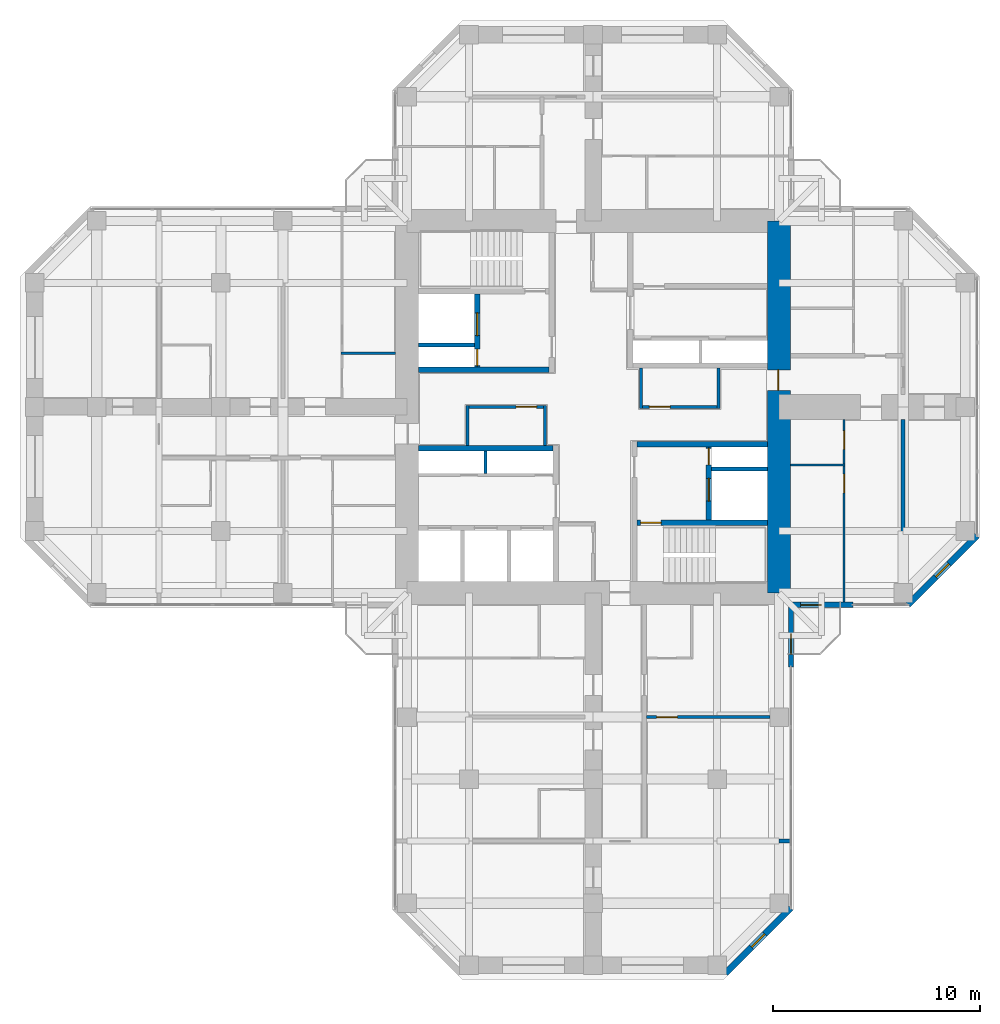
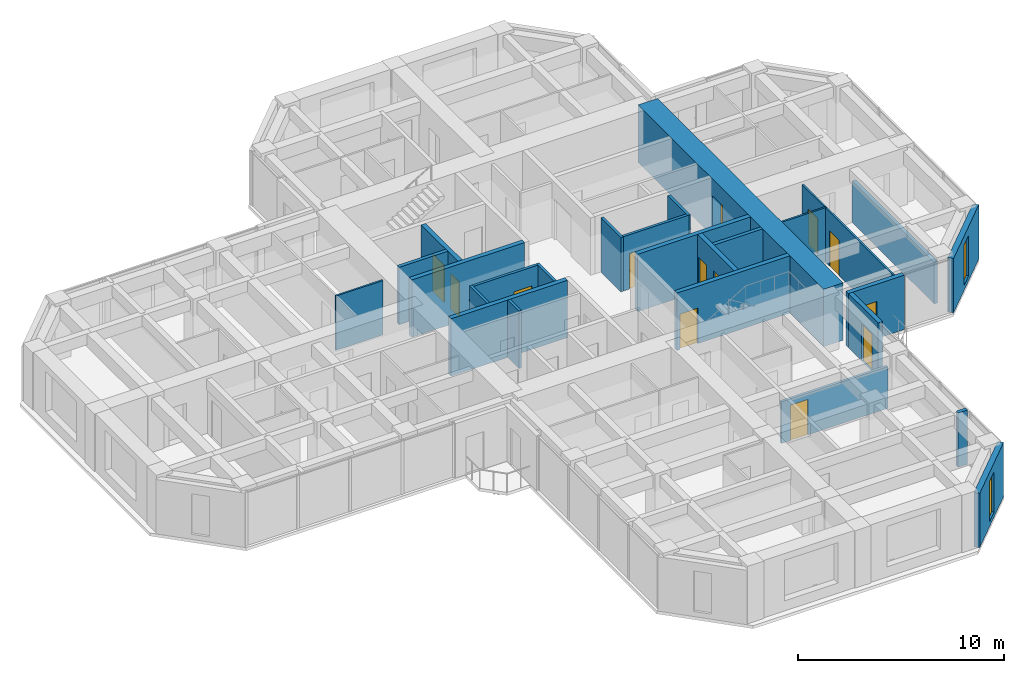
# One storey, part 10 of 14: 26 walls, 13 doors, 2 windows, 15 openings.
"""IFC4 building model written with IfcOpenShell, lengths in metres."""

from ifc_helpers import new_model, si_unit, direction, frame, frame_2d, origin, place, context, subcontext, project, spatial, rectangle, hollow_rectangle, extrude, material, layer, layer_set, constituent, constituent_set, type_object, element, fill, save


model = new_model("IFC4")

# Units and contexts
model_context = context("Model", 3, precision=1e-05, world=origin(), true_north=direction((0.0, 1.0)))
body_context = subcontext(model_context, "Body", "Model", "MODEL_VIEW")
ifc_project = project(units=[si_unit("LENGTHUNIT", "METRE"), si_unit("AREAUNIT", "SQUARE_METRE"), si_unit("VOLUMEUNIT", "CUBIC_METRE"), si_unit("PLANEANGLEUNIT", "RADIAN"), si_unit("MASSUNIT", "GRAM", prefix="KILO")], contexts=[model_context])

# Site, building, storey
site_placement = place(None, origin())
site = spatial("IfcSite", under=ifc_project, at=site_placement, CompositionType="ELEMENT")
building_placement = place(site_placement, origin())
building = spatial("IfcBuilding", under=site, at=building_placement, Name="Torre Cruceta", CompositionType="ELEMENT")
storey_placement = place(building_placement, frame((0.0, 0.0, 186.5)))
storey = spatial("IfcBuildingStorey", under=building, at=storey_placement, Name="L46", CompositionType="ELEMENT", Elevation=186.5)

# Wall
ifc_material_1 = material(Name="Water-resistant plasterboard on steel studs", Category="steel")
ifc_layer_1 = layer(ifc_material_1, 0.10009765625)
ifc_layer_set_1 = layer_set([ifc_layer_1], Name="Water-resistant plasterboard on steel studs")
wall_type_1 = type_object("IfcWallType", Name="BATHROOM WALL 100", PredefinedType="PARTITIONING", material=ifc_layer_set_1)
wall_1_placement = place(storey_placement, frame((9.550048828125, -2.800048828125, 0.0), z_axis=(0.0, 0.0, 1.0), x_axis=(1.0, 0.0, 0.0)))
element("IfcWall", 1, at=wall_1_placement, inside=storey, type_object=wall_type_1, Name="PT4 L46-E-U1RBB", PredefinedType="PARTITIONING", context=body_context, shape_type="SweptSolid", body=[
    extrude(rectangle(XDim=2.64990234375, YDim=0.10009765625, at=frame_2d((1.324951171875, 0.0))), origin(), (0.0, 0.0, 1.0), 3.219970703125),
])

# Wall, openings, doors
wall_2_placement = place(storey_placement, frame((12.14990234375, -9.445068359375, 0.0), z_axis=(0.0, 0.0, 1.0), x_axis=(0.0, 1.0, 0.0)))
wall_2 = element("IfcWall", 2, at=wall_2_placement, inside=storey, type_object=wall_type_1, Name="PT4 L46-E-U1RBS", PredefinedType="PARTITIONING", context=body_context, shape_type="SweptSolid", body=[
    extrude(rectangle(XDim=8.844970703125, YDim=0.10009765625, at=frame_2d((4.42236328125, 0.0))), origin(), (0.0, 0.0, 1.0), 3.219970703125),
])
opening_1_placement = place(wall_2_placement, frame((5.294921875, 0.0, 0.0)))
opening_1 = element("IfcOpeningElement", 3, at=opening_1_placement, cuts=wall_2, Name="Opening D7", PredefinedType="OPENING", context=body_context, shape_type="SweptSolid", body=[
    extrude(rectangle(XDim=0.89990234375, YDim=2.10009765625, at=frame_2d((0.449951171875, 1.050048828125))), frame((0.0, 0.06005859375, 0.0), z_axis=(0.0, -1.0, 0.0), x_axis=(1.0, 0.0, 0.0)), (0.0, 0.0, 1.0), 0.1201171875),
])
opening_2_placement = place(wall_2_placement, frame((7.39501953125, 0.0, 0.0)))
opening_2 = element("IfcOpeningElement", 4, at=opening_2_placement, cuts=wall_2, Name="Opening D7", PredefinedType="OPENING", context=body_context, shape_type="SweptSolid", body=[
    extrude(rectangle(XDim=0.89990234375, YDim=2.10009765625, at=frame_2d((0.449951171875, 1.050048828125))), frame((0.0, 0.06005859375, 0.0), z_axis=(0.0, -1.0, 0.0), x_axis=(1.0, 0.0, 0.0)), (0.0, 0.0, 1.0), 0.1201171875),
])
ifc_material_2 = material(Name="Timber door", Category="wood")
door_type_1 = type_object("IfcDoorType", Name="BATHROOM DOOR 900X2100", OperationType="SINGLE_SWING_LEFT", PredefinedType="DOOR", material=ifc_material_2)
door_1_placement = place(opening_1_placement, origin())
door_1 = element("IfcDoor", 5, at=door_1_placement, inside=storey, type_object=door_type_1, Name="D7 L46-E-U1RBS-D1", OperationType="SINGLE_SWING_RIGHT", OverallHeight=2.10009765625, OverallWidth=0.89990234375, PredefinedType="DOOR", context=body_context, shape_type="SweptSolid", body=[
    extrude(rectangle(XDim=0.89990234375, YDim=2.10009765625, at=frame_2d((0.449951171875, 1.050048828125))), frame((0.0, 0.02490234375, 0.0), z_axis=(0.0, -1.0, 0.0), x_axis=(1.0, 0.0, 0.0)), (0.0, 0.0, 1.0), 0.050048828125),
])
fill(opening_1, door_1)
door_2_placement = place(opening_2_placement, origin())
door_2 = element("IfcDoor", 6, at=door_2_placement, inside=storey, type_object=door_type_1, Name="D7 L46-E-U1RBS-D2", OperationType="SINGLE_SWING_RIGHT", OverallHeight=2.10009765625, OverallWidth=0.89990234375, PredefinedType="DOOR", context=body_context, shape_type="SweptSolid", body=[
    extrude(rectangle(XDim=0.89990234375, YDim=2.10009765625, at=frame_2d((0.449951171875, 1.050048828125))), frame((0.0, 0.02490234375, 0.0), z_axis=(0.0, -1.0, 0.0), x_axis=(1.0, 0.0, 0.0)), (0.0, 0.0, 1.0), 0.050048828125),
])
fill(opening_2, door_2)

# Walls
wall_3_placement = place(storey_placement, frame((-9.550048828125, 2.60009765625, 0.0), z_axis=(0.0, 0.0, 1.0), x_axis=(-1.0, 0.0, 0.0)))
element("IfcWall", 7, at=wall_3_placement, inside=storey, type_object=wall_type_1, Name="PT4 L46-W-U1RBB", PredefinedType="PARTITIONING", context=body_context, shape_type="SweptSolid", body=[
    extrude(rectangle(XDim=2.64990234375, YDim=0.10009765625, at=frame_2d((1.324951171875, 0.0))), origin(), (0.0, 0.0, 1.0), 3.219970703125),
])
ifc_material_3 = material(Name="Concrete G60 (fck 60 MPa)", Category="concrete")
ifc_layer_2 = layer(ifc_material_3, 0.25)
ifc_layer_set_2 = layer_set([ifc_layer_2], Name="Concrete G60 (fck 60 MPa)")
wall_type_2 = type_object("IfcWallType", Name="CORE INNER WALL 250 G60", PredefinedType="SHEAR", material=ifc_layer_set_2)
wall_4_placement = place(storey_placement, frame((-2.125, 1.800048828125, 0.0), z_axis=(0.0, 0.0, 1.0), x_axis=(-1.0, 0.0, 0.0)))
element("IfcWall", 8, at=wall_4_placement, inside=storey, type_object=wall_type_2, Name="CW4 L46 NW-CV", PredefinedType="SHEAR", context=body_context, shape_type="SweptSolid", body=[
    extrude(rectangle(XDim=6.324951171875, YDim=0.25, at=frame_2d((3.16259765625, 0.0))), origin(), (0.0, 0.0, 1.0), 3.39990234375),
])

# Wall, openings, doors
wall_5_placement = place(storey_placement, frame((-5.60009765625, 1.925048828125, 0.0), z_axis=(0.0, 0.0, 1.0), x_axis=(0.0, 1.0, 0.0)))
wall_5 = element("IfcWall", 9, at=wall_5_placement, inside=storey, type_object=wall_type_2, Name="CW4 L46 NW-FU", PredefinedType="SHEAR", context=body_context, shape_type="SweptSolid", body=[
    extrude(rectangle(XDim=3.550048828125, YDim=0.25, at=frame_2d((1.77490234375, 0.0))), origin(), (0.0, 0.0, 1.0), 3.39990234375),
])
opening_3_placement = place(wall_5_placement, frame((1.52490234375, 0.0, 0.0)))
opening_3 = element("IfcOpeningElement", 10, at=opening_3_placement, cuts=wall_5, Name="Opening LD1", PredefinedType="OPENING", context=body_context, shape_type="SweptSolid", body=[
    extrude(rectangle(XDim=1.10009765625, YDim=2.199951171875, at=frame_2d((0.550048828125, 1.10009765625))), frame((0.0, 0.135009765625, 0.0), z_axis=(0.0, -1.0, 0.0), x_axis=(1.0, 0.0, 0.0)), (0.0, 0.0, 1.0), 0.27001953125),
])
opening_4_placement = place(wall_5_placement, frame((0.074951171875, 0.0, 0.0)))
opening_4 = element("IfcOpeningElement", 11, at=opening_4_placement, cuts=wall_5, Name="Opening D5", PredefinedType="OPENING", context=body_context, shape_type="SweptSolid", body=[
    extrude(rectangle(XDim=0.800048828125, YDim=2.10009765625, at=frame_2d((0.39990234375, 1.050048828125))), frame((0.0, 0.135009765625, 0.0), z_axis=(0.0, -1.0, 0.0), x_axis=(1.0, 0.0, 0.0)), (0.0, 0.0, 1.0), 0.27001953125),
])
ifc_material_4 = material(Name="Stainless steel 1.4401", Category="steel")
door_type_2 = type_object("IfcDoorType", Name="LIFT LANDING DOOR 1100X2200", OperationType="DOUBLE_DOOR_SLIDING", PredefinedType="DOOR", material=ifc_material_4)
door_3_placement = place(opening_3_placement, origin())
door_3 = element("IfcDoor", 12, at=door_3_placement, inside=storey, type_object=door_type_2, Name="Lift landing door FL1", OperationType="DOUBLE_DOOR_SLIDING", OverallHeight=2.199951171875, OverallWidth=1.10009765625, PredefinedType="DOOR", context=body_context, shape_type="SweptSolid", body=[
    extrude(rectangle(XDim=1.10009765625, YDim=2.199951171875, at=frame_2d((0.550048828125, 1.10009765625))), frame((0.0, 0.02490234375, 0.0), z_axis=(0.0, -1.0, 0.0), x_axis=(1.0, 0.0, 0.0)), (0.0, 0.0, 1.0), 0.050048828125),
])
fill(opening_3, door_3)
ifc_material_5 = material(Name="Steel DX51D", Category="steel")
ifc_constituent_1 = constituent(ifc_material_5, Name="Leaf and frame")
ifc_material_6 = material(Name="Polyester powder coating", Category="paint")
ifc_constituent_2 = constituent(ifc_material_6, Name="Finish")
ifc_constituent_set_1 = constituent_set(constituents=[ifc_constituent_1, ifc_constituent_2], Name="Steel fire door")
door_type_3 = type_object("IfcDoorType", Name="RISER ACCESS DOOR 800X2100", OperationType="SINGLE_SWING_LEFT", PredefinedType="DOOR", material=ifc_constituent_set_1)
door_4_placement = place(opening_4_placement, origin())
door_4 = element("IfcDoor", 13, at=door_4_placement, inside=storey, type_object=door_type_3, Name="D5 L46 NW-RISER", OperationType="SINGLE_SWING_LEFT", OverallHeight=2.10009765625, OverallWidth=0.800048828125, PredefinedType="DOOR", context=body_context, shape_type="SweptSolid", body=[
    extrude(rectangle(XDim=0.800048828125, YDim=2.10009765625, at=frame_2d((0.39990234375, 1.050048828125))), frame((0.0, 0.02490234375, 0.0), z_axis=(0.0, -1.0, 0.0), x_axis=(1.0, 0.0, 0.0)), (0.0, 0.0, 1.0), 0.050048828125),
])
fill(opening_4, door_4)

# Walls
wall_6_placement = place(storey_placement, frame((-1.925048828125, -2.0, 0.0), z_axis=(0.0, 0.0, 1.0), x_axis=(-1.0, 0.0, 0.0)))
element("IfcWall", 14, at=wall_6_placement, inside=storey, type_object=wall_type_2, Name="CW4 L46 SW-CV", PredefinedType="SHEAR", context=body_context, shape_type="SweptSolid", body=[
    extrude(rectangle(XDim=6.52490234375, YDim=0.25, at=frame_2d((3.262451171875, 0.0))), origin(), (0.0, 0.0, 1.0), 3.39990234375),
])
wall_7_placement = place(storey_placement, frame((2.125, -1.800048828125, 0.0), z_axis=(0.0, 0.0, 1.0), x_axis=(1.0, 0.0, 0.0)))
element("IfcWall", 15, at=wall_7_placement, inside=storey, type_object=wall_type_2, Name="CW4 L46 SE-CV", PredefinedType="SHEAR", context=body_context, shape_type="SweptSolid", body=[
    extrude(rectangle(XDim=6.324951171875, YDim=0.25, at=frame_2d((3.16259765625, 0.0))), origin(), (0.0, 0.0, 1.0), 3.39990234375),
])

# Wall, opening, door
wall_8_placement = place(storey_placement, frame((2.125, -5.60009765625, 0.0), z_axis=(0.0, 0.0, 1.0), x_axis=(1.0, 0.0, 0.0)))
wall_8 = element("IfcWall", 16, at=wall_8_placement, inside=storey, type_object=wall_type_2, Name="CW4 L46 SE-SV", PredefinedType="SHEAR", context=body_context, shape_type="SweptSolid", body=[
    extrude(rectangle(XDim=6.324951171875, YDim=0.25, at=frame_2d((3.16259765625, 0.0))), origin(), (0.0, 0.0, 1.0), 3.39990234375),
])
opening_5_placement = place(wall_8_placement, frame((0.175048828125, 0.0, 0.0)))
opening_5 = element("IfcOpeningElement", 17, at=opening_5_placement, cuts=wall_8, Name="Opening D3", PredefinedType="OPENING", context=body_context, shape_type="SweptSolid", body=[
    extrude(rectangle(XDim=1.0, YDim=2.10009765625, at=frame_2d((0.5, 1.050048828125))), frame((0.0, 0.135009765625, 0.0), z_axis=(0.0, -1.0, 0.0), x_axis=(1.0, 0.0, 0.0)), (0.0, 0.0, 1.0), 0.27001953125),
])
ifc_material_7 = material(Name="Steel DX51D", Category="steel")
ifc_constituent_3 = constituent(ifc_material_7, Name="Leaf and frame")
ifc_material_8 = material(Name="Polyester powder coating", Category="paint")
ifc_constituent_4 = constituent(ifc_material_8, Name="Finish")
ifc_constituent_set_2 = constituent_set(constituents=[ifc_constituent_3, ifc_constituent_4], Name="Steel fire door")
door_type_4 = type_object("IfcDoorType", Name="FIRE DOOR 1000X2100", OperationType="SINGLE_SWING_LEFT", PredefinedType="DOOR", material=ifc_constituent_set_2)
door_5_placement = place(opening_5_placement, frame((1.0, 0.0, 0.0), z_axis=(0.0, 0.0, 1.0), x_axis=(-1.0, 0.0, 0.0)))
door_5 = element("IfcDoor", 18, at=door_5_placement, inside=storey, type_object=door_type_4, Name="D3 L46 SE-STAIR", OperationType="SINGLE_SWING_RIGHT", OverallHeight=2.10009765625, OverallWidth=1.0, PredefinedType="DOOR", context=body_context, shape_type="SweptSolid", body=[
    extrude(rectangle(XDim=1.0, YDim=2.10009765625, at=frame_2d((0.5, 1.050048828125))), frame((0.0, 0.025146484375, 0.0), z_axis=(0.0, -1.0, 0.0), x_axis=(1.0, 0.0, 0.0)), (0.0, 0.0, 1.0), 0.050048828125),
])
fill(opening_5, door_5)

# Wall, openings, doors
wall_9_placement = place(storey_placement, frame((5.60009765625, -1.925048828125, 0.0), z_axis=(0.0, 0.0, 1.0), x_axis=(0.0, -1.0, 0.0)))
wall_9 = element("IfcWall", 19, at=wall_9_placement, inside=storey, type_object=wall_type_2, Name="CW4 L46 SE-FU", PredefinedType="SHEAR", context=body_context, shape_type="SweptSolid", body=[
    extrude(rectangle(XDim=3.550048828125, YDim=0.25, at=frame_2d((1.77490234375, 0.0))), origin(), (0.0, 0.0, 1.0), 3.39990234375),
])
opening_6_placement = place(wall_9_placement, frame((1.52490234375, 0.0, 0.0)))
opening_6 = element("IfcOpeningElement", 20, at=opening_6_placement, cuts=wall_9, Name="Opening LD1", PredefinedType="OPENING", context=body_context, shape_type="SweptSolid", body=[
    extrude(rectangle(XDim=1.10009765625, YDim=2.199951171875, at=frame_2d((0.550048828125, 1.10009765625))), frame((0.0, 0.135009765625, 0.0), z_axis=(0.0, -1.0, 0.0), x_axis=(1.0, 0.0, 0.0)), (0.0, 0.0, 1.0), 0.27001953125),
])
opening_7_placement = place(wall_9_placement, frame((0.074951171875, 0.0, 0.0)))
opening_7 = element("IfcOpeningElement", 21, at=opening_7_placement, cuts=wall_9, Name="Opening D5", PredefinedType="OPENING", context=body_context, shape_type="SweptSolid", body=[
    extrude(rectangle(XDim=0.800048828125, YDim=2.10009765625, at=frame_2d((0.39990234375, 1.050048828125))), frame((0.0, 0.135009765625, 0.0), z_axis=(0.0, -1.0, 0.0), x_axis=(1.0, 0.0, 0.0)), (0.0, 0.0, 1.0), 0.27001953125),
])
door_6_placement = place(opening_6_placement, origin())
door_6 = element("IfcDoor", 22, at=door_6_placement, inside=storey, type_object=door_type_2, Name="Lift landing door FL2", OperationType="DOUBLE_DOOR_SLIDING", OverallHeight=2.199951171875, OverallWidth=1.10009765625, PredefinedType="DOOR", context=body_context, shape_type="SweptSolid", body=[
    extrude(rectangle(XDim=1.10009765625, YDim=2.199951171875, at=frame_2d((0.550048828125, 1.10009765625))), frame((0.0, 0.02490234375, 0.0), z_axis=(0.0, -1.0, 0.0), x_axis=(1.0, 0.0, 0.0)), (0.0, 0.0, 1.0), 0.050048828125),
])
fill(opening_6, door_6)
door_7_placement = place(opening_7_placement, origin())
door_7 = element("IfcDoor", 23, at=door_7_placement, inside=storey, type_object=door_type_3, Name="D5 L46 SE-RISER", OperationType="SINGLE_SWING_LEFT", OverallHeight=2.10009765625, OverallWidth=0.800048828125, PredefinedType="DOOR", context=body_context, shape_type="SweptSolid", body=[
    extrude(rectangle(XDim=0.800048828125, YDim=2.10009765625, at=frame_2d((0.39990234375, 1.050048828125))), frame((0.0, 0.02490234375, 0.0), z_axis=(0.0, -1.0, 0.0), x_axis=(1.0, 0.0, 0.0)), (0.0, 0.0, 1.0), 0.050048828125),
])
fill(opening_7, door_7)

# Wall, opening, door
ifc_material_9 = material(Name="Concrete G60 (fck 60 MPa)", Category="concrete")
ifc_layer_3 = layer(ifc_material_9, 1.10009765625)
ifc_layer_set_3 = layer_set([ifc_layer_3], Name="Concrete G60 (fck 60 MPa)")
wall_type_3 = type_object("IfcWallType", Name="CORE WALL 1100 G60", PredefinedType="SHEAR", material=ifc_layer_set_3)
wall_10_placement = place(storey_placement, frame((9.0, -9.0, 0.0), z_axis=(0.0, 0.0, 1.0), x_axis=(0.0, 1.0, 0.0)))
wall_10 = element("IfcWall", 24, at=wall_10_placement, inside=storey, type_object=wall_type_3, Name="CW2 L46 CW-E", PredefinedType="SHEAR", context=body_context, shape_type="SweptSolid", body=[
    extrude(rectangle(XDim=18.0, YDim=1.10009765625, at=frame_2d((9.0, 0.0))), origin(), (0.0, 0.0, 1.0), 3.39990234375),
])
opening_8_placement = place(wall_10_placement, frame((9.800048828125, 0.0, 0.0)))
opening_8 = element("IfcOpeningElement", 25, at=opening_8_placement, cuts=wall_10, Name="Opening D4", PredefinedType="OPENING", context=body_context, shape_type="SweptSolid", body=[
    extrude(rectangle(XDim=1.0, YDim=2.39990234375, at=frame_2d((0.5, 1.199951171875))), frame((0.0, 0.56005859375, 0.0), z_axis=(0.0, -1.0, 0.0), x_axis=(1.0, 0.0, 0.0)), (0.0, 0.0, 1.0), 1.1201171875),
])
ifc_material_10 = material(Name="Steel DX51D", Category="steel")
ifc_constituent_5 = constituent(ifc_material_10, Name="Leaf and frame")
ifc_material_11 = material(Name="Polyester powder coating", Category="paint")
ifc_constituent_6 = constituent(ifc_material_11, Name="Finish")
ifc_constituent_set_3 = constituent_set(constituents=[ifc_constituent_5, ifc_constituent_6], Name="Steel fire door")
door_type_5 = type_object("IfcDoorType", Name="CORE ARM DOOR 1000X2400", OperationType="SINGLE_SWING_RIGHT", PredefinedType="DOOR", material=ifc_constituent_set_3)
door_8_placement = place(opening_8_placement, origin())
door_8 = element("IfcDoor", 26, at=door_8_placement, inside=storey, type_object=door_type_5, Name="D4 L46 CW-E", OperationType="SINGLE_SWING_RIGHT", OverallHeight=2.39990234375, OverallWidth=1.0, PredefinedType="DOOR", context=body_context, shape_type="SweptSolid", body=[
    extrude(rectangle(XDim=1.0, YDim=2.39990234375, at=frame_2d((0.5, 1.199951171875))), frame((0.0, 0.05517578125, 0.0), z_axis=(0.0, -1.0, 0.0), x_axis=(1.0, 0.0, 0.0)), (0.0, 0.0, 1.0), 0.050048828125),
])
fill(opening_8, door_8)

# Wall, opening, window
ifc_material_12 = material(Name="Concrete G30 (fck 30 MPa)", Category="concrete")
ifc_layer_4 = layer(ifc_material_12, 0.300048828125)
ifc_layer_set_4 = layer_set([ifc_layer_4], Name="Concrete G30 (fck 30 MPa)")
wall_type_4 = type_object("IfcWallType", Name="EXPOSED CONCRETE FACADE WALL 300", PredefinedType="SOLIDWALL", material=ifc_layer_set_4)
wall_11_placement = place(storey_placement, frame((15.236083984375, -9.570068359375, 0.0), z_axis=(0.0, 0.0, 1.0), x_axis=(0.707106781187, 0.707106781187, 0.0)))
wall_11 = element("IfcWall", 27, at=wall_11_placement, inside=storey, type_object=wall_type_4, Name="EW1 facade wall L46 E chamfer 01", PredefinedType="SOLIDWALL", context=body_context, shape_type="SweptSolid", body=[
    extrude(rectangle(XDim=4.715087890625, YDim=0.300048828125, at=frame_2d((2.357421875, 0.0))), origin(), (0.0, 0.0, 1.0), 3.219970703125),
])
opening_9_placement = place(wall_11_placement, frame((1.907470703125, 0.0, 0.300048828125)))
opening_9 = element("IfcOpeningElement", 28, at=opening_9_placement, cuts=wall_11, Name="Opening WN5", PredefinedType="OPENING", context=body_context, shape_type="SweptSolid", body=[
    extrude(rectangle(XDim=0.89990234375, YDim=2.39990234375, at=frame_2d((0.449951171875, 1.199951171875))), frame((0.0, 0.159912109375, 0.0), z_axis=(0.0, -1.0, 0.0), x_axis=(1.0, 0.0, 0.0)), (0.0, 0.0, 1.0), 0.320068359375),
])
ifc_material_13 = material(Name="Aluminium window frame", Category="aluminium")
ifc_constituent_7 = constituent(ifc_material_13, Name="Frame")
ifc_material_14 = material(Name="Laminated insulating glass unit, low-iron clear", Category="glass")
ifc_constituent_8 = constituent(ifc_material_14, Name="Glazing")
ifc_constituent_set_4 = constituent_set(constituents=[ifc_constituent_7, ifc_constituent_8], Name="Aluminium window")
window_type = type_object("IfcWindowType", Name="CHAMFER SLOT WINDOW 900X2400", PartitioningType="SINGLE_PANEL", PredefinedType="WINDOW", material=ifc_constituent_set_4)
window_1_placement = place(opening_9_placement, origin())
window_1 = element("IfcWindow", 29, at=window_1_placement, inside=storey, type_object=window_type, Name="WN5 L46 E 1", OverallHeight=2.39990234375, OverallWidth=0.89990234375, PartitioningType="SINGLE_PANEL", PredefinedType="WINDOW", context=body_context, shape_type="SweptSolid", body=[
    extrude(hollow_rectangle(XDim=0.89990234375, YDim=2.39990234375, WallThickness=0.06005859375, at=frame_2d((0.449951171875, 1.199951171875))), frame((0.0, 0.030029296875, 0.0), z_axis=(0.0, -1.0, 0.0), x_axis=(1.0, 0.0, 0.0)), (0.0, 0.0, 1.0), 0.06005859375),
    extrude(rectangle(XDim=0.77880859375, YDim=2.27880859375, at=frame_2d((0.449951171875, 1.199951171875))), frame((0.0, 0.030029296875, 0.0), z_axis=(0.0, -1.0, 0.0), x_axis=(1.0, 0.0, 0.0)), (0.0, 0.0, 1.0), 0.06005859375),
])
fill(opening_9, window_1)

wall_12_placement = place(storey_placement, frame((6.406005859375, -27.39990234375, 0.0), z_axis=(0.0, 0.0, 1.0), x_axis=(0.707134062067, 0.707079499254, 0.0)))
wall_12 = element("IfcWall", 30, at=wall_12_placement, inside=storey, type_object=wall_type_4, Name="EW1 facade wall L46 S chamfer 18", PredefinedType="SOLIDWALL", context=body_context, shape_type="SweptSolid", body=[
    extrude(rectangle(XDim=4.474609375, YDim=0.300048828125, at=frame_2d((2.2373046875, 0.0))), origin(), (0.0, 0.0, 1.0), 3.219970703125),
])
opening_10_placement = place(wall_12_placement, frame((1.787109375, 0.0, 0.300048828125)))
opening_10 = element("IfcOpeningElement", 31, at=opening_10_placement, cuts=wall_12, Name="Opening WN5", PredefinedType="OPENING", context=body_context, shape_type="SweptSolid", body=[
    extrude(rectangle(XDim=0.89990234375, YDim=2.39990234375, at=frame_2d((0.449951171875, 1.199951171875))), frame((0.0, 0.159912109375, 0.0), z_axis=(0.0, -1.0, 0.0), x_axis=(1.0, 0.0, 0.0)), (0.0, 0.0, 1.0), 0.320068359375),
])
window_2_placement = place(opening_10_placement, origin())
window_2 = element("IfcWindow", 32, at=window_2_placement, inside=storey, type_object=window_type, Name="WN5 L46 S 1", OverallHeight=2.39990234375, OverallWidth=0.89990234375, PartitioningType="SINGLE_PANEL", PredefinedType="WINDOW", context=body_context, shape_type="SweptSolid", body=[
    extrude(hollow_rectangle(XDim=0.89990234375, YDim=2.39990234375, WallThickness=0.06005859375, at=frame_2d((0.449951171875, 1.199951171875))), frame((0.0, 0.030029296875, 0.0), z_axis=(0.0, -1.0, 0.0), x_axis=(1.0, 0.0, 0.0)), (0.0, 0.0, 1.0), 0.06005859375),
    extrude(rectangle(XDim=0.77880859375, YDim=2.27880859375, at=frame_2d((0.449951171875, 1.199951171875))), frame((0.0, 0.030029296875, 0.0), z_axis=(0.0, -1.0, 0.0), x_axis=(1.0, 0.0, 0.0)), (0.0, 0.0, 1.0), 0.06005859375),
])
fill(opening_10, window_2)

# Walls
ifc_material_15 = material(Name="Concrete G35 (fck 35 MPa)", Category="concrete")
ifc_layer_5 = layer(ifc_material_15, 0.199951171875)
ifc_layer_set_5 = layer_set([ifc_layer_5], Name="Concrete G35 (fck 35 MPa)")
wall_type_5 = type_object("IfcWallType", Name="LIFT SHAFT WALL 200", PredefinedType="PARTITIONING", material=ifc_layer_set_5)
for number, where, z_axis, x_axis, name in (
    (33, (-5.72509765625, 3.0, 0.0), (0.0, 0.0, 1.0), (-1.0, 0.0, 0.0), "SW1 L46 NW-FR"),
    (34, (5.72509765625, -3.0, 0.0), (0.0, 0.0, 1.0), (1.0, 0.0, 0.0), "SW1 L46 SE-FR"),
):
    element("IfcWall", number, at=place(storey_placement, frame(where, z_axis=z_axis, x_axis=x_axis)), inside=storey, type_object=wall_type_5, Name=name, PredefinedType="PARTITIONING", context=body_context, shape_type="SweptSolid", body=[
        extrude(rectangle(XDim=2.724853515625, YDim=0.199951171875, at=frame_2d((1.3623046875, 0.0))), origin(), (0.0, 0.0, 1.0), 3.39990234375),
    ])

# Wall, opening, door
ifc_material_16 = material(Name="Plasterboard on steel studs", Category="steel")
ifc_layer_6 = layer(ifc_material_16, 0.14990234375)
ifc_layer_set_6 = layer_set([ifc_layer_6], Name="Plasterboard on steel studs")
wall_type_6 = type_object("IfcWallType", Name="PARTITION 150", PredefinedType="PARTITIONING", material=ifc_layer_set_6)
wall_13_placement = place(storey_placement, frame((2.324951171875, 0.0, 0.0), z_axis=(0.0, 0.0, 1.0), x_axis=(1.0, 0.0, 0.0)))
wall_13 = element("IfcWall", 35, at=wall_13_placement, inside=storey, type_object=wall_type_6, Name="PT1 L46-CORE-LEGE-N-W1", PredefinedType="PARTITIONING", context=body_context, shape_type="SweptSolid", body=[
    extrude(rectangle(XDim=3.75, YDim=0.14990234375, at=frame_2d((1.875, 0.0))), origin(), (0.0, 0.0, 1.0), 3.219970703125),
])
opening_11_placement = place(wall_13_placement, frame((0.39990234375, 0.0, 0.0)))
opening_11 = element("IfcOpeningElement", 36, at=opening_11_placement, cuts=wall_13, Name="Opening D3", PredefinedType="OPENING", context=body_context, shape_type="SweptSolid", body=[
    extrude(rectangle(XDim=1.0, YDim=2.10009765625, at=frame_2d((0.5, 1.050048828125))), frame((0.0, 0.0849609375, 0.0), z_axis=(0.0, -1.0, 0.0), x_axis=(1.0, 0.0, 0.0)), (0.0, 0.0, 1.0), 0.169921875),
])
door_9_placement = place(opening_11_placement, origin())
door_9 = element("IfcDoor", 37, at=door_9_placement, inside=storey, type_object=door_type_4, Name="D3 L46-CORE-LEGE-N-W1-D1", OperationType="SINGLE_SWING_LEFT", OverallHeight=2.10009765625, OverallWidth=1.0, PredefinedType="DOOR", context=body_context, shape_type="SweptSolid", body=[
    extrude(rectangle(XDim=1.0, YDim=2.10009765625, at=frame_2d((0.5, 1.050048828125))), frame((0.0, 0.02490234375, 0.0), z_axis=(0.0, -1.0, 0.0), x_axis=(1.0, 0.0, 0.0)), (0.0, 0.0, 1.0), 0.050048828125),
])
fill(opening_11, door_9)

# Walls
for number, where, z_axis, x_axis, name in (
    (38, (2.324951171875, 1.875, 0.0), (0.0, 0.0, 1.0), (0.0, -1.0, 0.0), "PT1 L46-CORE-LEGE-N-W2"),
    (39, (6.074951171875, -0.074951171875, 0.0), (0.0, 0.0, 1.0), (0.0, 1.0, 0.0), "PT1 L46-CORE-LEGE-N-W3"),
):
    element("IfcWall", number, at=place(storey_placement, frame(where, z_axis=z_axis, x_axis=x_axis)), inside=storey, type_object=wall_type_6, Name=name, PredefinedType="PARTITIONING", context=body_context, shape_type="SweptSolid", body=[
        extrude(rectangle(XDim=1.949951171875, YDim=0.14990234375, at=frame_2d((0.97509765625, 0.0))), origin(), (0.0, 0.0, 1.0), 3.219970703125),
    ])

# Wall, opening, door
wall_14_placement = place(storey_placement, frame((-2.324951171875, 0.0, 0.0), z_axis=(0.0, 0.0, 1.0), x_axis=(-1.0, 0.0, 0.0)))
wall_14 = element("IfcWall", 40, at=wall_14_placement, inside=storey, type_object=wall_type_6, Name="PT1 L46-CORE-LEGW-S-W1", PredefinedType="PARTITIONING", context=body_context, shape_type="SweptSolid", body=[
    extrude(rectangle(XDim=3.75, YDim=0.14990234375, at=frame_2d((1.875, 0.0))), origin(), (0.0, 0.0, 1.0), 3.219970703125),
])
opening_12_placement = place(wall_14_placement, frame((0.39990234375, 0.0, 0.0)))
opening_12 = element("IfcOpeningElement", 41, at=opening_12_placement, cuts=wall_14, Name="Opening D3", PredefinedType="OPENING", context=body_context, shape_type="SweptSolid", body=[
    extrude(rectangle(XDim=1.0, YDim=2.10009765625, at=frame_2d((0.5, 1.050048828125))), frame((0.0, 0.0849609375, 0.0), z_axis=(0.0, -1.0, 0.0), x_axis=(1.0, 0.0, 0.0)), (0.0, 0.0, 1.0), 0.169921875),
])
door_10_placement = place(opening_12_placement, origin())
door_10 = element("IfcDoor", 42, at=door_10_placement, inside=storey, type_object=door_type_4, Name="D3 L46-CORE-LEGW-S-W1-D1", OperationType="SINGLE_SWING_LEFT", OverallHeight=2.10009765625, OverallWidth=1.0, PredefinedType="DOOR", context=body_context, shape_type="SweptSolid", body=[
    extrude(rectangle(XDim=1.0, YDim=2.10009765625, at=frame_2d((0.5, 1.050048828125))), frame((0.0, 0.02490234375, 0.0), z_axis=(0.0, -1.0, 0.0), x_axis=(1.0, 0.0, 0.0)), (0.0, 0.0, 1.0), 0.050048828125),
])
fill(opening_12, door_10)

# Walls
for number, where, z_axis, x_axis, name in (
    (43, (-2.324951171875, -1.875, 0.0), (0.0, 0.0, 1.0), (0.0, 1.0, 0.0), "PT1 L46-CORE-LEGW-S-W2"),
    (44, (-6.074951171875, 0.074951171875, 0.0), (0.0, 0.0, 1.0), (0.0, -1.0, 0.0), "PT1 L46-CORE-LEGW-S-W3"),
):
    element("IfcWall", number, at=place(storey_placement, frame(where, z_axis=z_axis, x_axis=x_axis)), inside=storey, type_object=wall_type_6, Name=name, PredefinedType="PARTITIONING", context=body_context, shape_type="SweptSolid", body=[
        extrude(rectangle(XDim=1.949951171875, YDim=0.14990234375, at=frame_2d((0.97509765625, 0.0))), origin(), (0.0, 0.0, 1.0), 3.219970703125),
    ])

# Wall, opening, door
wall_15_placement = place(storey_placement, frame((2.574951171875, -15.0, 0.0), z_axis=(0.0, 0.0, 1.0), x_axis=(1.0, 0.0, 0.0)))
wall_15 = element("IfcWall", 45, at=wall_15_placement, inside=storey, type_object=wall_type_6, Name="PT1 L46-S-P1L", PredefinedType="PARTITIONING", context=body_context, shape_type="SweptSolid", body=[
    extrude(rectangle(XDim=5.97509765625, YDim=0.14990234375, at=frame_2d((2.987548828125, 0.0))), origin(), (0.0, 0.0, 1.0), 2.469970703125),
])
opening_13_placement = place(wall_15_placement, frame((0.5, 0.0, 0.0)))
opening_13 = element("IfcOpeningElement", 46, at=opening_13_placement, cuts=wall_15, Name="Opening D3", PredefinedType="OPENING", context=body_context, shape_type="SweptSolid", body=[
    extrude(rectangle(XDim=1.0, YDim=2.10009765625, at=frame_2d((0.5, 1.050048828125))), frame((0.0, 0.0849609375, 0.0), z_axis=(0.0, -1.0, 0.0), x_axis=(1.0, 0.0, 0.0)), (0.0, 0.0, 1.0), 0.169921875),
])
door_11_placement = place(opening_13_placement, origin())
door_11 = element("IfcDoor", 47, at=door_11_placement, inside=storey, type_object=door_type_4, Name="D3 L46-S-P1L-D1", OperationType="SINGLE_SWING_LEFT", OverallHeight=2.10009765625, OverallWidth=1.0, PredefinedType="DOOR", context=body_context, shape_type="SweptSolid", body=[
    extrude(rectangle(XDim=1.0, YDim=2.10009765625, at=frame_2d((0.5, 1.050048828125))), frame((0.0, 0.02490234375, 0.0), z_axis=(0.0, -1.0, 0.0), x_axis=(1.0, 0.0, 0.0)), (0.0, 0.0, 1.0), 0.050048828125),
])
fill(opening_13, door_11)

# Walls
ifc_material_17 = material(Name="Concrete block masonry", Category="masonry")
ifc_layer_7 = layer(ifc_material_17, 0.14990234375)
ifc_layer_set_7 = layer_set([ifc_layer_7], Name="Concrete block masonry")
wall_type_7 = type_object("IfcWallType", Name="RISER WALL 150", PredefinedType="PARTITIONING", material=ifc_layer_set_7)
wall_16_placement = place(storey_placement, frame((-5.199951171875, -2.125, 0.0), z_axis=(0.0, 0.0, 1.0), x_axis=(0.0, -1.0, 0.0)))
element("IfcWall", 48, at=wall_16_placement, inside=storey, type_object=wall_type_7, Name="SW7 L46 SW-RU", PredefinedType="PARTITIONING", context=body_context, shape_type="SweptSolid", body=[
    extrude(rectangle(XDim=1.10009765625, YDim=0.14990234375, at=frame_2d((0.550048828125, 0.0))), origin(), (0.0, 0.0, 1.0), 3.39990234375),
])
ifc_material_18 = material(Name="Concrete G25 (fck 25 MPa)", Category="concrete")
ifc_layer_8 = layer(ifc_material_18, 0.199951171875)
ifc_layer_set_8 = layer_set([ifc_layer_8], Name="Concrete G25 (fck 25 MPa)")
wall_type_8 = type_object("IfcWallType", Name="UNIT SEPARATING WALL 200", PredefinedType="SOLIDWALL", material=ifc_layer_set_8)
wall_17_placement = place(storey_placement, frame((15.0, -8.550048828125, 0.0), z_axis=(0.0, 0.0, 1.0), x_axis=(0.0, 1.0, 0.0)))
element("IfcWall", 49, at=wall_17_placement, inside=storey, type_object=wall_type_8, Name="PT2 L46-E-ENDa", PredefinedType="SOLIDWALL", context=body_context, shape_type="SweptSolid", body=[
    extrude(rectangle(XDim=7.949951171875, YDim=0.199951171875, at=frame_2d((3.97509765625, 0.0))), origin(), (0.0, 0.0, 1.0), 2.469970703125),
])
wall_18_placement = place(storey_placement, frame((9.0, -21.0, 0.0), z_axis=(0.0, 0.0, 1.0), x_axis=(1.0, 0.0, 0.0)))
element("IfcWall", 50, at=wall_18_placement, inside=storey, type_object=wall_type_8, Name="PT2 L46-S-ENDb 2", PredefinedType="SOLIDWALL", context=body_context, shape_type="SweptSolid", body=[
    extrude(rectangle(XDim=0.530029296875, YDim=0.199951171875, at=frame_2d((0.26513671875, 0.0))), origin(), (0.0, 0.0, 1.0), 3.219970703125),
])

# Wall, opening, door
ifc_material_19 = material(Name="Concrete G30 (fck 30 MPa)", Category="concrete")
ifc_layer_9 = layer(ifc_material_19, 0.25)
ifc_layer_set_9 = layer_set([ifc_layer_9], Name="Concrete G30 (fck 30 MPa)")
wall_type_9 = type_object("IfcWallType", Name="WINTER GARDEN WALL 250", PredefinedType="SOLIDWALL", material=ifc_layer_set_9)
wall_19_placement = place(storey_placement, frame((9.445068359375, -9.570068359375, 0.0), z_axis=(0.0, 0.0, 1.0), x_axis=(1.0, 0.0, 0.0)))
wall_19 = element("IfcWall", 51, at=wall_19_placement, inside=storey, type_object=wall_type_9, Name="EW2 winter garden wall L46 00", PredefinedType="SOLIDWALL", context=body_context, shape_type="SweptSolid", body=[
    extrude(rectangle(XDim=3.125, YDim=0.25, at=frame_2d((1.5625, 0.0))), origin(), (0.0, 0.0, 1.0), 3.219970703125),
])
opening_14_placement = place(wall_19_placement, frame((0.60009765625, 0.0, 0.0)))
opening_14 = element("IfcOpeningElement", 52, at=opening_14_placement, cuts=wall_19, Name="Opening D10", PredefinedType="OPENING", context=body_context, shape_type="SweptSolid", body=[
    extrude(rectangle(XDim=1.0, YDim=2.199951171875, at=frame_2d((0.5, 1.10009765625))), frame((0.0, 0.135009765625, 0.0), z_axis=(0.0, -1.0, 0.0), x_axis=(1.0, 0.0, 0.0)), (0.0, 0.0, 1.0), 0.27001953125),
])
ifc_material_20 = material(Name="Aluminium door frame", Category="aluminium")
ifc_constituent_9 = constituent(ifc_material_20, Name="Frame")
ifc_material_21 = material(Name="Laminated safety glass", Category="glass")
ifc_constituent_10 = constituent(ifc_material_21, Name="Glazing")
ifc_constituent_set_5 = constituent_set(constituents=[ifc_constituent_9, ifc_constituent_10], Name="Aluminium glazed door")
door_type_6 = type_object("IfcDoorType", Name="BALCONY DOOR 1000X2200", OperationType="SINGLE_SWING_RIGHT", PredefinedType="DOOR", material=ifc_constituent_set_5)
door_12_placement = place(opening_14_placement, origin())
door_12 = element("IfcDoor", 53, at=door_12_placement, inside=storey, type_object=door_type_6, Name="D10 balcony door L46 00", OperationType="SINGLE_SWING_LEFT", OverallHeight=2.199951171875, OverallWidth=1.0, PredefinedType="DOOR", context=body_context, shape_type="SweptSolid", body=[
    extrude(hollow_rectangle(XDim=1.0, YDim=2.199951171875, WallThickness=0.06005859375, at=frame_2d((0.5, 1.10009765625))), frame((0.0, 0.02490234375, 0.0), z_axis=(0.0, -1.0, 0.0), x_axis=(1.0, 0.0, 0.0)), (0.0, 0.0, 1.0), 0.050048828125),
    extrude(rectangle(XDim=0.87890625, YDim=2.078857421875, at=frame_2d((0.5, 1.10009765625))), frame((0.0, 0.02490234375, 0.0), z_axis=(0.0, -1.0, 0.0), x_axis=(1.0, 0.0, 0.0)), (0.0, 0.0, 1.0), 0.050048828125),
])
fill(opening_14, door_12)

wall_20_placement = place(storey_placement, frame((9.570068359375, -12.570068359375, 0.0), z_axis=(0.0, 0.0, 1.0), x_axis=(0.0, 1.0, 0.0)))
wall_20 = element("IfcWall", 54, at=wall_20_placement, inside=storey, type_object=wall_type_9, Name="EW2 winter garden wall L46 19", PredefinedType="SOLIDWALL", context=body_context, shape_type="SweptSolid", body=[
    extrude(rectangle(XDim=2.875, YDim=0.25, at=frame_2d((1.4375, 0.0))), origin(), (0.0, 0.0, 1.0), 3.219970703125),
])
opening_15_placement = place(wall_20_placement, frame((0.60009765625, 0.0, 0.0)))
opening_15 = element("IfcOpeningElement", 55, at=opening_15_placement, cuts=wall_20, Name="Opening D10", PredefinedType="OPENING", context=body_context, shape_type="SweptSolid", body=[
    extrude(rectangle(XDim=1.0, YDim=2.199951171875, at=frame_2d((0.5, 1.10009765625))), frame((0.0, 0.135009765625, 0.0), z_axis=(0.0, -1.0, 0.0), x_axis=(1.0, 0.0, 0.0)), (0.0, 0.0, 1.0), 0.27001953125),
])
door_13_placement = place(opening_15_placement, origin())
door_13 = element("IfcDoor", 56, at=door_13_placement, inside=storey, type_object=door_type_6, Name="D10 balcony door L46 19", OperationType="SINGLE_SWING_RIGHT", OverallHeight=2.199951171875, OverallWidth=1.0, PredefinedType="DOOR", context=body_context, shape_type="SweptSolid", body=[
    extrude(hollow_rectangle(XDim=1.0, YDim=2.199951171875, WallThickness=0.06005859375, at=frame_2d((0.5, 1.10009765625))), frame((0.0, 0.02490234375, 0.0), z_axis=(0.0, -1.0, 0.0), x_axis=(1.0, 0.0, 0.0)), (0.0, 0.0, 1.0), 0.050048828125),
    extrude(rectangle(XDim=0.87890625, YDim=2.078857421875, at=frame_2d((0.5, 1.10009765625))), frame((0.0, 0.02490234375, 0.0), z_axis=(0.0, -1.0, 0.0), x_axis=(1.0, 0.0, 0.0)), (0.0, 0.0, 1.0), 0.050048828125),
])
fill(opening_15, door_13)

save(model, "model.ifc")
